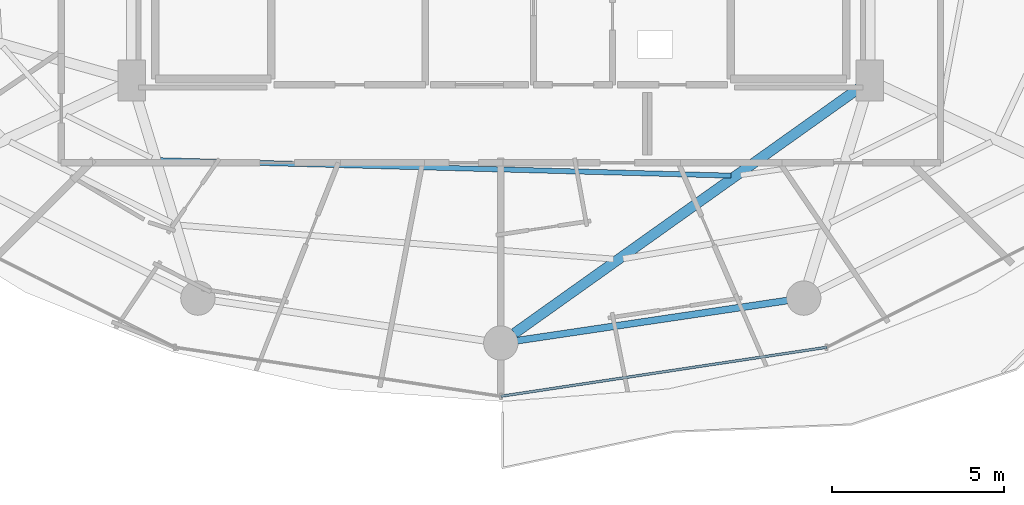
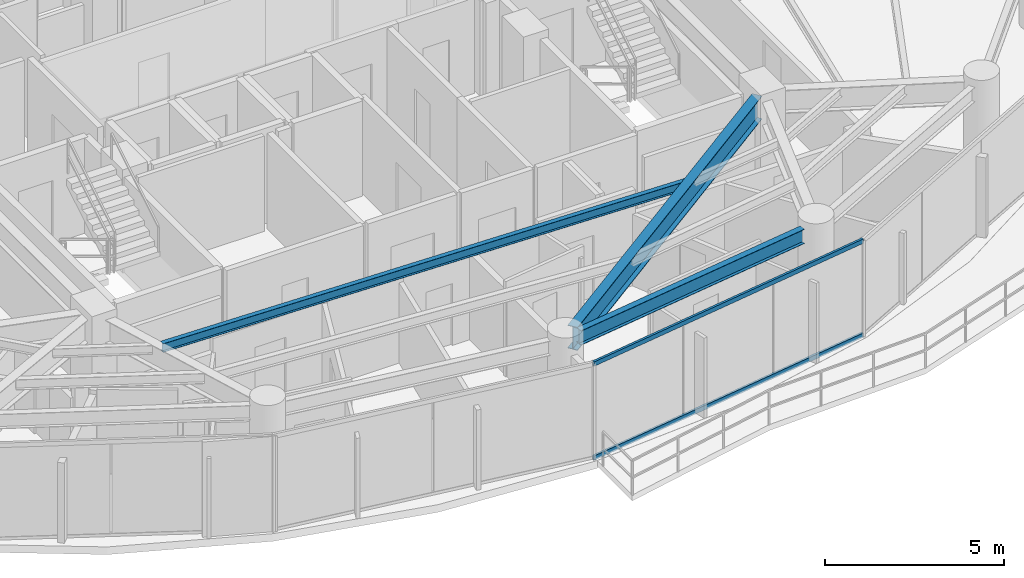
# One storey, part 7 of 31: 3 beams, 2 members, 1 element without a shape of its own.
"""IFC4 building model written with IfcOpenShell, lengths in metres."""

from ifc_helpers import new_model, si_unit, direction, frame, origin, origin_2d, place, context, subcontext, project, spatial, hollow_rectangle, i_section, extrude, material, material_profile, profile_set, type_object, element, aggregate, save


model = new_model("IFC4")

# Units and contexts
model_context = context("Model", 3, precision=1e-05, world=origin(), true_north=direction((0.0, 1.0)))
body_context = subcontext(model_context, "Body", "Model", "MODEL_VIEW")
ifc_project = project(units=[si_unit("LENGTHUNIT", "METRE"), si_unit("AREAUNIT", "SQUARE_METRE"), si_unit("VOLUMEUNIT", "CUBIC_METRE"), si_unit("PLANEANGLEUNIT", "RADIAN"), si_unit("MASSUNIT", "GRAM", prefix="KILO")], contexts=[model_context])

# Site, building, storey
site_placement = place(None, origin())
site = spatial("IfcSite", under=ifc_project, at=site_placement, CompositionType="ELEMENT")
building_placement = place(site_placement, origin())
building = spatial("IfcBuilding", under=site, at=building_placement, Name="Vorneva Point Tower", CompositionType="ELEMENT")
storey_placement = place(building_placement, frame((0.0, 0.0, 136.10009765625)))
storey = spatial("IfcBuildingStorey", under=building, at=storey_placement, Name="L36", CompositionType="ELEMENT", Elevation=136.10009765625)

# Beams
ifc_material_1 = material(Name="Steel S355", Category="steel")
ifc_material_profile_1 = material_profile(ifc_material_1, i_section(OverallWidth=0.300048828125, OverallDepth=0.7880859375, WebThickness=0.014404296875, FlangeThickness=0.02197265625, at=origin_2d()), Name="80Sh1")
ifc_profile_set_1 = profile_set([ifc_material_profile_1], Name="Steel S355")
beam_type_1 = type_object("IfcBeamType", Name="BM-GRD-80Sh1", PredefinedType="USERDEFINED", material=ifc_profile_set_1)
beam_1_placement = place(storey_placement, frame((38.397705078125, 9.0830078125, 2.845947265625), z_axis=(0.814751382529, 0.579810473057, 0.0), x_axis=(-0.579810473057, 0.814751382529, 0.0)))
element("IfcBeam", 1, at=beam_1_placement, inside=storey, type_object=beam_type_1, Name="L36 Radial Primary Girder 13", ObjectType="GIRDER", PredefinedType="USERDEFINED", context=body_context, shape_type="SweptSolid", body=[
    extrude(i_section(OverallWidth=0.300048828125, OverallDepth=0.7880859375, WebThickness=0.014404296875, FlangeThickness=0.02197265625, at=origin_2d()), origin(), (0.0, 0.0, 1.0), 12.365966796875),
])
ifc_material_profile_2 = material_profile(ifc_material_1, i_section(OverallWidth=0.14892578125, OverallDepth=0.298095703125, WebThickness=0.005615234375, FlangeThickness=0.008056640625, at=origin_2d()), Name="30B1")
ifc_profile_set_2 = profile_set([ifc_material_profile_2], Name="Steel S355")
beam_type_2 = type_object("IfcBeamType", Name="BM-JST-30B1", PredefinedType="JOIST", material=ifc_profile_set_2)
beam_2_placement = place(storey_placement, frame((28.0947265625, 14.12353515625, 3.0908203125), z_axis=(0.999636212652, -0.02697113929, 0.0), x_axis=(0.02697113929, 0.999636212652, 0.0)))
element("IfcBeam", 2, at=beam_2_placement, inside=storey, type_object=beam_type_2, Name="L36 Secondary Floor Beam 2.12", PredefinedType="JOIST", context=body_context, shape_type="SweptSolid", body=[
    extrude(i_section(OverallWidth=0.14892578125, OverallDepth=0.298095703125, WebThickness=0.005615234375, FlangeThickness=0.008056640625, at=origin_2d()), origin(), (0.0, 0.0, 1.0), 16.619384765625),
])
ifc_material_profile_3 = material_profile(ifc_material_1, i_section(OverallWidth=0.199951171875, OverallDepth=0.491943359375, WebThickness=0.0087890625, FlangeThickness=0.011962890625, at=origin_2d()), Name="50B1")
ifc_profile_set_3 = profile_set([ifc_material_profile_3], Name="Steel S355")
beam_type_3 = type_object("IfcBeamType", Name="BM-SPN-50B1", PredefinedType="SPANDREL", material=ifc_profile_set_3)
beam_3_placement = place(storey_placement, frame((38.479736328125, 8.87109375, 2.993896484375), z_axis=(0.989161199046, 0.146833655211, 0.0), x_axis=(-0.146833655211, 0.989161199046, 0.0)))
element("IfcBeam", 3, at=beam_3_placement, inside=storey, type_object=beam_type_3, Name="L36 Perimeter Spandrel Ring Beam 13", PredefinedType="SPANDREL", context=body_context, shape_type="SweptSolid", body=[
    extrude(i_section(OverallWidth=0.199951171875, OverallDepth=0.491943359375, WebThickness=0.0087890625, FlangeThickness=0.011962890625, at=origin_2d()), origin(), (0.0, 0.0, 1.0), 7.94775390625),
])

# Curtain wall, members
ifc_material_2 = material(Name="Pale anodised aluminium", Category="aluminium")
curtain_wall_type = type_object("IfcCurtainWallType", Name="CW-RES-SYS", PredefinedType="NOTDEFINED", material=ifc_material_2)
curtain_wall_placement = place(storey_placement, origin())
curtain_wall = element("IfcCurtainWall", 4, at=curtain_wall_placement, inside=storey, type_object=curtain_wall_type, Name="L36 Unitised Curtain Wall CW-L36-R04", PredefinedType="NOTDEFINED")
ifc_material_profile_4 = material_profile(ifc_material_2, hollow_rectangle(XDim=0.074951171875, YDim=0.14990234375, WallThickness=0.00390625, at=origin_2d()), Name="AL-TRN 150x75x4")
ifc_profile_set_4 = profile_set([ifc_material_profile_4], Name="Pale anodised aluminium")
member_type = type_object("IfcMemberType", Name="CW-TRN-150", PredefinedType="USERDEFINED", material=ifc_profile_set_4)
member_1_placement = place(storey_placement, frame((38.0, 7.25, 0.02001953125), z_axis=(0.988880117727, 0.148714870687, 0.0), x_axis=(-0.148714870687, 0.988880117727, 0.0)))
member_1 = element("IfcMember", 5, at=member_1_placement, type_object=member_type, Name="CW-L36-R04 Transom 03.1", ObjectType="TRANSOM", PredefinedType="USERDEFINED", context=body_context, shape_type="SweptSolid", body=[
    extrude(hollow_rectangle(XDim=0.074951171875, YDim=0.14990234375, WallThickness=0.00390625, at=origin_2d()), origin(), (0.0, 0.0, 1.0), 9.59716796875),
])
member_2_placement = place(storey_placement, frame((38.0, 7.25, 3.219970703125), z_axis=(0.988880117727, 0.148714870687, 0.0), x_axis=(-0.148714870687, 0.988880117727, 0.0)))
member_2 = element("IfcMember", 6, at=member_2_placement, type_object=member_type, Name="CW-L36-R04 Transom 03.2", ObjectType="TRANSOM", PredefinedType="USERDEFINED", context=body_context, shape_type="SweptSolid", body=[
    extrude(hollow_rectangle(XDim=0.074951171875, YDim=0.14990234375, WallThickness=0.00390625, at=origin_2d()), origin(), (0.0, 0.0, 1.0), 9.59716796875),
])
aggregate(curtain_wall, [member_1, member_2])

save(model, "model.ifc")
